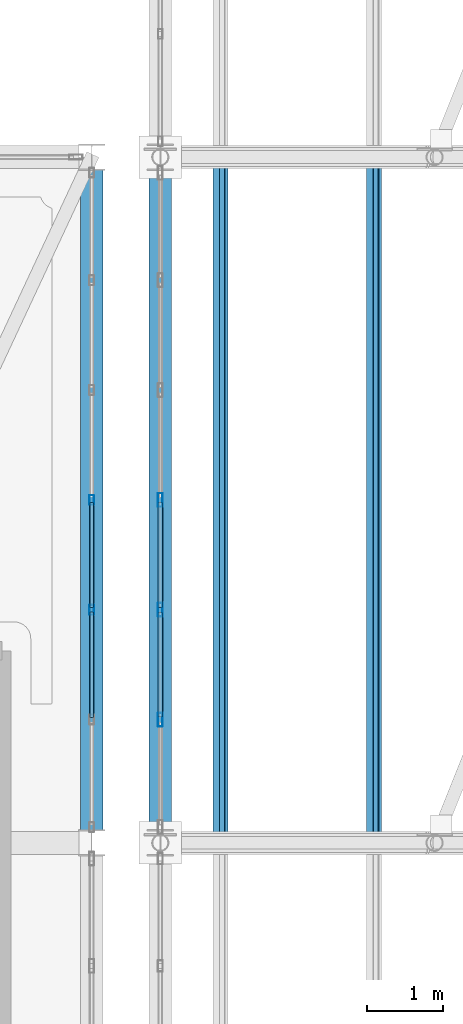
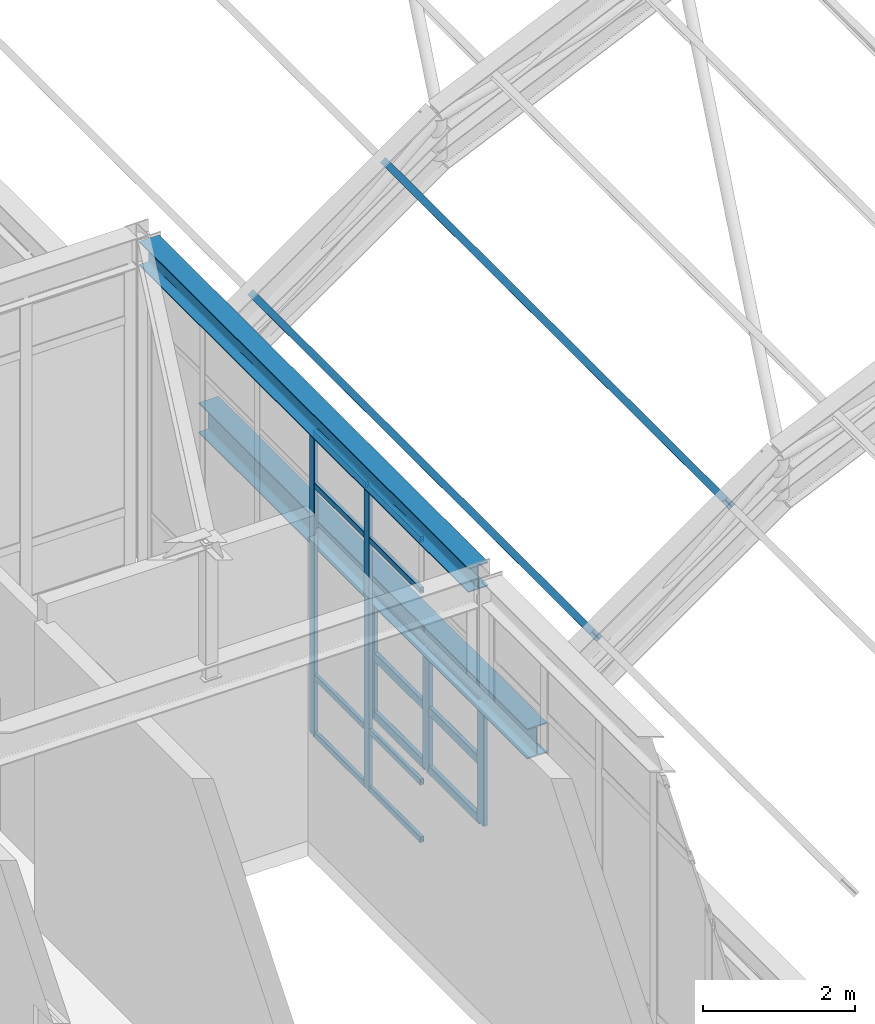
# One storey, part 69 of 121: 21 members, 2 beams, 2 elements without a shape of their own.
"""IFC4 building model written with IfcOpenShell, lengths in metres."""

from ifc_helpers import new_model, si_unit, direction, frame, origin, origin_2d, place, context, subcontext, project, spatial, hollow_rectangle, i_section, extrude, material, material_profile, profile_set, type_object, element, aggregate, save


model = new_model("IFC4")

# Units and contexts
model_context = context("Model", 3, precision=1e-05, world=origin(), true_north=direction((0.0, 1.0)))
body_context = subcontext(model_context, "Body", "Model", "MODEL_VIEW")
ifc_project = project(units=[si_unit("LENGTHUNIT", "METRE"), si_unit("AREAUNIT", "SQUARE_METRE"), si_unit("VOLUMEUNIT", "CUBIC_METRE"), si_unit("PLANEANGLEUNIT", "RADIAN"), si_unit("MASSUNIT", "GRAM", prefix="KILO")], contexts=[model_context])

# Site, building, storey
site_placement = place(None, origin())
site = spatial("IfcSite", under=ifc_project, at=site_placement, CompositionType="ELEMENT")
building_placement = place(site_placement, origin())
building = spatial("IfcBuilding", under=site, at=building_placement, Name="Canglan Escarpment Cableway Terminal", CompositionType="ELEMENT")
storey_placement = place(building_placement, frame((0.0, 0.0, 24.60009765625)))
storey = spatial("IfcBuildingStorey", under=building, at=storey_placement, Name="L05", CompositionType="ELEMENT", Elevation=24.60009765625)

# Beams
ifc_material_1 = material(Name="Steel Q355B", Category="steel")
ifc_material_profile_1 = material_profile(ifc_material_1, i_section(OverallWidth=0.300048828125, OverallDepth=0.389892578125, WebThickness=0.010009765625, FlangeThickness=0.01611328125, FilletRadius=0.02197265625, at=origin_2d()), Name="HM 390x300x10x16")
ifc_profile_set_1 = profile_set([ifc_material_profile_1], Name="Steel Q355B")
beam_type_1 = type_object("IfcBeamType", Name="BM-HM390", PredefinedType="BEAM", material=ifc_profile_set_1)
beam_1_placement = place(storey_placement, frame((136.699951171875, 106.1650390625, 5.139892578125), z_axis=(0.0, 1.0, 0.0), x_axis=(-1.0, 0.0, 0.0)))
element("IfcBeam", 1, at=beam_1_placement, inside=storey, type_object=beam_type_1, Name="Drive House roof transverse tie girder B-11", PredefinedType="BEAM", context=body_context, shape_type="SweptSolid", body=[
    extrude(i_section(OverallWidth=0.300048828125, OverallDepth=0.389892578125, WebThickness=0.010009765625, FlangeThickness=0.01611328125, FilletRadius=0.02197265625, at=origin_2d()), origin(), (0.0, 0.0, 1.0), 8.669921875),
])
ifc_material_profile_2 = material_profile(ifc_material_1, i_section(OverallWidth=0.300048828125, OverallDepth=0.488037109375, WebThickness=0.010986328125, FlangeThickness=0.01806640625, FilletRadius=0.02587890625, at=origin_2d()), Name="HM 488x300x11x18")
ifc_profile_set_2 = profile_set([ifc_material_profile_2], Name="Steel Q355B")
beam_type_2 = type_object("IfcBeamType", Name="BM-HM488", PredefinedType="BEAM", material=ifc_profile_set_2)
beam_2_placement = place(storey_placement, frame((137.60009765625, 106.175048828125, 2.1884765625), z_axis=(0.0, 1.0, 0.0), x_axis=(-1.0, 0.0, 0.0)))
element("IfcBeam", 2, at=beam_2_placement, inside=storey, type_object=beam_type_2, Name="Vault springing ring girder B-09", PredefinedType="BEAM", context=body_context, shape_type="SweptSolid", body=[
    extrude(i_section(OverallWidth=0.300048828125, OverallDepth=0.488037109375, WebThickness=0.010986328125, FlangeThickness=0.01806640625, FilletRadius=0.02587890625, at=origin_2d()), origin(), (0.0, 0.0, 1.0), 8.64990234375),
])

# Curtain wall, members
ifc_material_2 = material(Name="Anodized bronze aluminium and Low-E double glazing", Category="aluminium")
curtain_wall_type_1 = type_object("IfcCurtainWallType", Name="CW-BAY-8650x4875", PredefinedType="NOTDEFINED", material=ifc_material_2)
curtain_wall_1_placement = place(storey_placement, origin())
curtain_wall_1 = element("IfcCurtainWall", 3, at=curtain_wall_1_placement, inside=storey, type_object=curtain_wall_type_1, Name="Classical bay-between-piers glazed curtain wall CW-58", PredefinedType="NOTDEFINED")
ifc_material_3 = material(Name="Thermally broken anodized aluminium 6063-T6", Category="aluminium")
ifc_material_profile_3 = material_profile(ifc_material_3, hollow_rectangle(XDim=0.06005859375, YDim=0.1298828125, WallThickness=0.0029296875, InnerFilletRadius=0.0029296875, OuterFilletRadius=0.006103515625, at=origin_2d()), Name="ALU-MULL 60x130x3")
ifc_profile_set_3 = profile_set([ifc_material_profile_3], Name="Thermally broken anodized aluminium 6063-T6")
member_type_1 = type_object("IfcMemberType", Name="CWM-01", PredefinedType="MULLION", material=ifc_profile_set_3)
member_1_placement = place(storey_placement, frame((136.699951171875, 109.058349609375, 0.0), z_axis=(0.0, 0.0, 1.0), x_axis=(-1.0, 0.0, 0.0)))
member_1 = element("IfcMember", 4, at=member_1_placement, type_object=member_type_1, Name="CW-58 mullion 3", PredefinedType="MULLION", context=body_context, shape_type="SweptSolid", body=[
    extrude(hollow_rectangle(XDim=0.06005859375, YDim=0.1298828125, WallThickness=0.0029296875, InnerFilletRadius=0.0029296875, OuterFilletRadius=0.006103515625, at=origin_2d()), origin(), (0.0, 0.0, 1.0), 4.880859375),
])
member_2_placement = place(storey_placement, frame((136.699951171875, 110.5, 0.0), z_axis=(0.0, 0.0, 1.0), x_axis=(-1.0, 0.0, 0.0)))
member_2 = element("IfcMember", 5, at=member_2_placement, type_object=member_type_1, Name="CW-58 mullion 4", PredefinedType="MULLION", context=body_context, shape_type="SweptSolid", body=[
    extrude(hollow_rectangle(XDim=0.06005859375, YDim=0.1298828125, WallThickness=0.0029296875, InnerFilletRadius=0.0029296875, OuterFilletRadius=0.006103515625, at=origin_2d()), origin(), (0.0, 0.0, 1.0), 4.880859375),
])

curtain_wall_type_2 = type_object("IfcCurtainWallType", Name="CW-BAY-8650x1950", PredefinedType="NOTDEFINED", material=ifc_material_2)
curtain_wall_2_placement = place(storey_placement, origin())
curtain_wall_2 = element("IfcCurtainWall", 6, at=curtain_wall_2_placement, inside=storey, type_object=curtain_wall_type_2, Name="Classical bay-between-piers glazed curtain wall CW-66", PredefinedType="NOTDEFINED")
ifc_material_profile_4 = material_profile(ifc_material_3, hollow_rectangle(XDim=0.06494140625, YDim=0.179931640625, WallThickness=0.00390625, InnerFilletRadius=0.00390625, OuterFilletRadius=0.008056640625, at=origin_2d()), Name="ALU-MULL 65x180x4")
ifc_profile_set_4 = profile_set([ifc_material_profile_4], Name="Thermally broken anodized aluminium 6063-T6")
member_type_2 = type_object("IfcMemberType", Name="CWM-03", PredefinedType="MULLION", material=ifc_profile_set_4)
member_3_placement = place(storey_placement, frame((137.60009765625, 110.5, 0.0), z_axis=(0.0, 0.0, 1.0), x_axis=(1.0, 0.0, 0.0)))
member_3 = element("IfcMember", 7, at=member_3_placement, type_object=member_type_2, Name="CW-66 mullion 4", PredefinedType="MULLION", context=body_context, shape_type="SweptSolid", body=[
    extrude(hollow_rectangle(XDim=0.06494140625, YDim=0.179931640625, WallThickness=0.00390625, InnerFilletRadius=0.00390625, OuterFilletRadius=0.008056640625, at=origin_2d()), origin(), (0.0, 0.0, 1.0), 1.949951171875),
])
member_4_placement = place(storey_placement, frame((137.60009765625, 109.058349609375, 0.0), z_axis=(0.0, 0.0, 1.0), x_axis=(1.0, 0.0, 0.0)))
member_4 = element("IfcMember", 8, at=member_4_placement, type_object=member_type_2, Name="CW-66 mullion 5", PredefinedType="MULLION", context=body_context, shape_type="SweptSolid", body=[
    extrude(hollow_rectangle(XDim=0.06494140625, YDim=0.179931640625, WallThickness=0.00390625, InnerFilletRadius=0.00390625, OuterFilletRadius=0.008056640625, at=origin_2d()), origin(), (0.0, 0.0, 1.0), 1.949951171875),
])
member_5_placement = place(storey_placement, frame((137.60009765625, 107.61669921875, 0.0), z_axis=(0.0, 0.0, 1.0), x_axis=(1.0, 0.0, 0.0)))
member_5 = element("IfcMember", 9, at=member_5_placement, type_object=member_type_2, Name="CW-66 mullion 6", PredefinedType="MULLION", context=body_context, shape_type="SweptSolid", body=[
    extrude(hollow_rectangle(XDim=0.06494140625, YDim=0.179931640625, WallThickness=0.00390625, InnerFilletRadius=0.00390625, OuterFilletRadius=0.008056640625, at=origin_2d()), origin(), (0.0, 0.0, 1.0), 1.949951171875),
])

# Member
ifc_material_profile_5 = material_profile(ifc_material_3, hollow_rectangle(XDim=0.054931640625, YDim=0.094970703125, WallThickness=0.0029296875, InnerFilletRadius=0.0029296875, OuterFilletRadius=0.006103515625, at=origin_2d()), Name="ALU-TRAN 55x95x3")
ifc_profile_set_5 = profile_set([ifc_material_profile_5], Name="Thermally broken anodized aluminium 6063-T6")
member_type_3 = type_object("IfcMemberType", Name="CWT-01", PredefinedType="USERDEFINED", material=ifc_profile_set_5)
member_6_placement = place(storey_placement, frame((136.699951171875, 107.646728515625, 0.02734375), z_axis=(0.0, 1.0, 0.0), x_axis=(-1.0, 0.0, 0.0)))
member_6 = element("IfcMember", 10, at=member_6_placement, type_object=member_type_3, Name="CW-58 transom 2.1", ObjectType="TRANSOM", PredefinedType="USERDEFINED", context=body_context, shape_type="SweptSolid", body=[
    extrude(hollow_rectangle(XDim=0.054931640625, YDim=0.094970703125, WallThickness=0.0029296875, InnerFilletRadius=0.0029296875, OuterFilletRadius=0.006103515625, at=origin_2d()), origin(), (0.0, 0.0, 1.0), 1.381591796875),
])

member_7_placement = place(storey_placement, frame((136.699951171875, 107.646728515625, 0.949951171875), z_axis=(0.0, 1.0, 0.0), x_axis=(-1.0, 0.0, 0.0)))
member_7 = element("IfcMember", 11, at=member_7_placement, type_object=member_type_3, Name="CW-58 transom 2.2", ObjectType="TRANSOM", PredefinedType="USERDEFINED", context=body_context, shape_type="SweptSolid", body=[
    extrude(hollow_rectangle(XDim=0.054931640625, YDim=0.094970703125, WallThickness=0.0029296875, InnerFilletRadius=0.0029296875, OuterFilletRadius=0.006103515625, at=origin_2d()), origin(), (0.0, 0.0, 1.0), 1.381591796875),
])

member_8_placement = place(storey_placement, frame((136.699951171875, 107.646728515625, 4.031005859375), z_axis=(0.0, 1.0, 0.0), x_axis=(-1.0, 0.0, 0.0)))
member_8 = element("IfcMember", 12, at=member_8_placement, type_object=member_type_3, Name="CW-58 transom 2.3", ObjectType="TRANSOM", PredefinedType="USERDEFINED", context=body_context, shape_type="SweptSolid", body=[
    extrude(hollow_rectangle(XDim=0.054931640625, YDim=0.094970703125, WallThickness=0.0029296875, InnerFilletRadius=0.0029296875, OuterFilletRadius=0.006103515625, at=origin_2d()), origin(), (0.0, 0.0, 1.0), 1.381591796875),
])

member_9_placement = place(storey_placement, frame((136.699951171875, 107.646728515625, 4.853515625), z_axis=(0.0, 1.0, 0.0), x_axis=(-1.0, 0.0, 0.0)))
member_9 = element("IfcMember", 13, at=member_9_placement, type_object=member_type_3, Name="CW-58 transom 2.4", ObjectType="TRANSOM", PredefinedType="USERDEFINED", context=body_context, shape_type="SweptSolid", body=[
    extrude(hollow_rectangle(XDim=0.054931640625, YDim=0.094970703125, WallThickness=0.0029296875, InnerFilletRadius=0.0029296875, OuterFilletRadius=0.006103515625, at=origin_2d()), origin(), (0.0, 0.0, 1.0), 1.381591796875),
])

member_10_placement = place(storey_placement, frame((136.699951171875, 109.08837890625, 0.02734375), z_axis=(0.0, 1.0, 0.0), x_axis=(-1.0, 0.0, 0.0)))
member_10 = element("IfcMember", 14, at=member_10_placement, type_object=member_type_3, Name="CW-58 transom 3.1", ObjectType="TRANSOM", PredefinedType="USERDEFINED", context=body_context, shape_type="SweptSolid", body=[
    extrude(hollow_rectangle(XDim=0.054931640625, YDim=0.094970703125, WallThickness=0.0029296875, InnerFilletRadius=0.0029296875, OuterFilletRadius=0.006103515625, at=origin_2d()), origin(), (0.0, 0.0, 1.0), 1.381591796875),
])

member_11_placement = place(storey_placement, frame((136.699951171875, 109.08837890625, 0.949951171875), z_axis=(0.0, 1.0, 0.0), x_axis=(-1.0, 0.0, 0.0)))
member_11 = element("IfcMember", 15, at=member_11_placement, type_object=member_type_3, Name="CW-58 transom 3.2", ObjectType="TRANSOM", PredefinedType="USERDEFINED", context=body_context, shape_type="SweptSolid", body=[
    extrude(hollow_rectangle(XDim=0.054931640625, YDim=0.094970703125, WallThickness=0.0029296875, InnerFilletRadius=0.0029296875, OuterFilletRadius=0.006103515625, at=origin_2d()), origin(), (0.0, 0.0, 1.0), 1.381591796875),
])

member_12_placement = place(storey_placement, frame((136.699951171875, 109.08837890625, 4.031005859375), z_axis=(0.0, 1.0, 0.0), x_axis=(-1.0, 0.0, 0.0)))
member_12 = element("IfcMember", 16, at=member_12_placement, type_object=member_type_3, Name="CW-58 transom 3.3", ObjectType="TRANSOM", PredefinedType="USERDEFINED", context=body_context, shape_type="SweptSolid", body=[
    extrude(hollow_rectangle(XDim=0.054931640625, YDim=0.094970703125, WallThickness=0.0029296875, InnerFilletRadius=0.0029296875, OuterFilletRadius=0.006103515625, at=origin_2d()), origin(), (0.0, 0.0, 1.0), 1.381591796875),
])

member_13_placement = place(storey_placement, frame((136.699951171875, 109.08837890625, 4.853515625), z_axis=(0.0, 1.0, 0.0), x_axis=(-1.0, 0.0, 0.0)))
member_13 = element("IfcMember", 17, at=member_13_placement, type_object=member_type_3, Name="CW-58 transom 3.4", ObjectType="TRANSOM", PredefinedType="USERDEFINED", context=body_context, shape_type="SweptSolid", body=[
    extrude(hollow_rectangle(XDim=0.054931640625, YDim=0.094970703125, WallThickness=0.0029296875, InnerFilletRadius=0.0029296875, OuterFilletRadius=0.006103515625, at=origin_2d()), origin(), (0.0, 0.0, 1.0), 1.381591796875),
])

aggregate(curtain_wall_1, [member_1, member_2, member_6, member_7, member_8, member_9, member_10, member_11, member_12, member_13])

ifc_material_profile_6 = material_profile(ifc_material_3, hollow_rectangle(XDim=0.06494140625, YDim=0.139892578125, WallThickness=0.00341796875, InnerFilletRadius=0.00341796875, OuterFilletRadius=0.007080078125, at=origin_2d()), Name="ALU-TRAN 65x140x3.5")
ifc_profile_set_6 = profile_set([ifc_material_profile_6], Name="Thermally broken anodized aluminium 6063-T6")
member_type_4 = type_object("IfcMemberType", Name="CWT-03", PredefinedType="USERDEFINED", material=ifc_profile_set_6)
member_14_placement = place(storey_placement, frame((137.60009765625, 110.467529296875, 0.032470703125), z_axis=(0.0, -1.0, 0.0), x_axis=(1.0, 0.0, 0.0)))
member_14 = element("IfcMember", 18, at=member_14_placement, type_object=member_type_4, Name="CW-66 transom 4.1", ObjectType="TRANSOM", PredefinedType="USERDEFINED", context=body_context, shape_type="SweptSolid", body=[
    extrude(hollow_rectangle(XDim=0.06494140625, YDim=0.139892578125, WallThickness=0.00341796875, InnerFilletRadius=0.00341796875, OuterFilletRadius=0.007080078125, at=origin_2d()), origin(), (0.0, 0.0, 1.0), 1.376708984375),
])

member_15_placement = place(storey_placement, frame((137.60009765625, 110.467529296875, 0.974853515625), z_axis=(0.0, -1.0, 0.0), x_axis=(1.0, 0.0, 0.0)))
member_15 = element("IfcMember", 19, at=member_15_placement, type_object=member_type_4, Name="CW-66 transom 4.2", ObjectType="TRANSOM", PredefinedType="USERDEFINED", context=body_context, shape_type="SweptSolid", body=[
    extrude(hollow_rectangle(XDim=0.06494140625, YDim=0.139892578125, WallThickness=0.00341796875, InnerFilletRadius=0.00341796875, OuterFilletRadius=0.007080078125, at=origin_2d()), origin(), (0.0, 0.0, 1.0), 1.376708984375),
])

member_16_placement = place(storey_placement, frame((137.60009765625, 110.467529296875, 1.91748046875), z_axis=(0.0, -1.0, 0.0), x_axis=(1.0, 0.0, 0.0)))
member_16 = element("IfcMember", 20, at=member_16_placement, type_object=member_type_4, Name="CW-66 transom 4.3", ObjectType="TRANSOM", PredefinedType="USERDEFINED", context=body_context, shape_type="SweptSolid", body=[
    extrude(hollow_rectangle(XDim=0.06494140625, YDim=0.139892578125, WallThickness=0.00341796875, InnerFilletRadius=0.00341796875, OuterFilletRadius=0.007080078125, at=origin_2d()), origin(), (0.0, 0.0, 1.0), 1.376708984375),
])

member_17_placement = place(storey_placement, frame((137.60009765625, 109.02587890625, 0.032470703125), z_axis=(0.0, -1.0, 0.0), x_axis=(1.0, 0.0, 0.0)))
member_17 = element("IfcMember", 21, at=member_17_placement, type_object=member_type_4, Name="CW-66 transom 5.1", ObjectType="TRANSOM", PredefinedType="USERDEFINED", context=body_context, shape_type="SweptSolid", body=[
    extrude(hollow_rectangle(XDim=0.06494140625, YDim=0.139892578125, WallThickness=0.00341796875, InnerFilletRadius=0.00341796875, OuterFilletRadius=0.007080078125, at=origin_2d()), origin(), (0.0, 0.0, 1.0), 1.376708984375),
])

member_18_placement = place(storey_placement, frame((137.60009765625, 109.02587890625, 0.974853515625), z_axis=(0.0, -1.0, 0.0), x_axis=(1.0, 0.0, 0.0)))
member_18 = element("IfcMember", 22, at=member_18_placement, type_object=member_type_4, Name="CW-66 transom 5.2", ObjectType="TRANSOM", PredefinedType="USERDEFINED", context=body_context, shape_type="SweptSolid", body=[
    extrude(hollow_rectangle(XDim=0.06494140625, YDim=0.139892578125, WallThickness=0.00341796875, InnerFilletRadius=0.00341796875, OuterFilletRadius=0.007080078125, at=origin_2d()), origin(), (0.0, 0.0, 1.0), 1.376708984375),
])

member_19_placement = place(storey_placement, frame((137.60009765625, 109.02587890625, 1.91748046875), z_axis=(0.0, -1.0, 0.0), x_axis=(1.0, 0.0, 0.0)))
member_19 = element("IfcMember", 23, at=member_19_placement, type_object=member_type_4, Name="CW-66 transom 5.3", ObjectType="TRANSOM", PredefinedType="USERDEFINED", context=body_context, shape_type="SweptSolid", body=[
    extrude(hollow_rectangle(XDim=0.06494140625, YDim=0.139892578125, WallThickness=0.00341796875, InnerFilletRadius=0.00341796875, OuterFilletRadius=0.007080078125, at=origin_2d()), origin(), (0.0, 0.0, 1.0), 1.376708984375),
])

aggregate(curtain_wall_2, [member_3, member_4, member_5, member_14, member_15, member_16, member_17, member_18, member_19])

# Members
ifc_material_profile_7 = material_profile(ifc_material_1, i_section(OverallWidth=0.10009765625, OverallDepth=0.199951171875, WebThickness=0.005615234375, FlangeThickness=0.008056640625, FilletRadius=0.010986328125, at=origin_2d()), Name="HN 200x100x5.5x8")
ifc_profile_set_7 = profile_set([ifc_material_profile_7], Name="Steel Q355B")
member_type_5 = type_object("IfcMemberType", Name="MB-VAULT-PUR-HN200", PredefinedType="PURLIN", material=ifc_profile_set_7)
for number, where, z_axis, x_axis, name in (
    (24, (138.39208984375, 106.0, 3.712890625), (0.0, 1.0, 0.0), (-0.817727996784, 0.0, -0.575604832568), "Barrel-vault roof purlin PR-01"),
    (25, (140.407958984375, 106.0, 5.1318359375), (0.0, 1.0, 0.0), (-0.817727996784, 0.0, -0.575604832568), "Barrel-vault roof purlin PR-01"),
):
    element("IfcMember", number, at=place(storey_placement, frame(where, z_axis=z_axis, x_axis=x_axis)), inside=storey, type_object=member_type_5, Name=name, PredefinedType="PURLIN", context=body_context, shape_type="SweptSolid", body=[
        extrude(i_section(OverallWidth=0.10009765625, OverallDepth=0.199951171875, WebThickness=0.005615234375, FlangeThickness=0.008056640625, FilletRadius=0.010986328125, at=origin_2d()), origin(), (0.0, 0.0, 1.0), 9.0),
    ])

save(model, "model.ifc")
